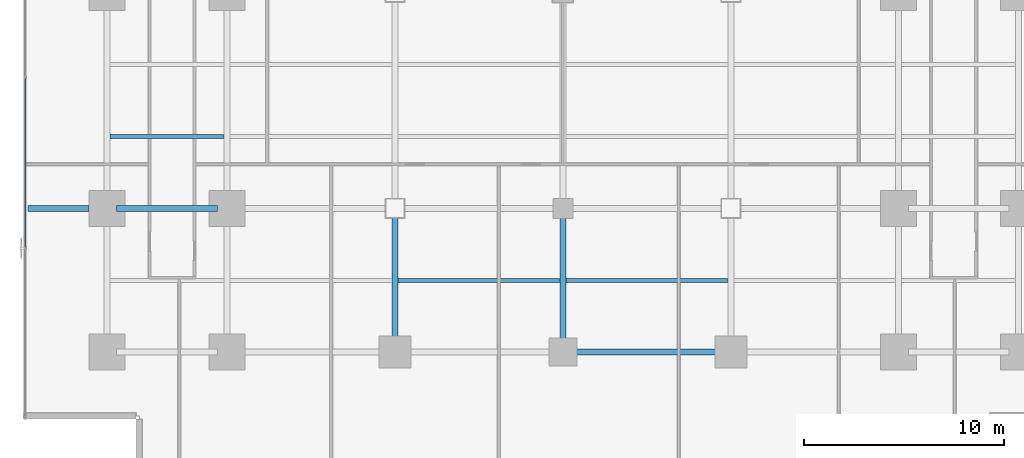
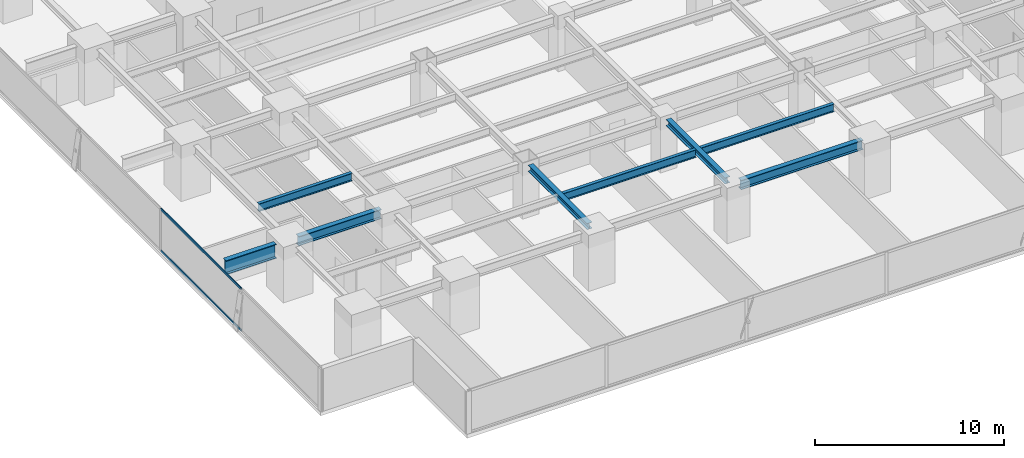
# One storey, part 6 of 34: 8 beams, 2 members, 1 element without a shape of its own.
"""IFC4 building model written with IfcOpenShell, lengths in metres."""

from ifc_helpers import new_model, si_unit, direction, frame, origin, origin_2d, place, context, subcontext, project, spatial, hollow_rectangle, i_section, extrude, source, transform, mapped, material, layer, layer_set, material_profile, profile_set, type_object, element, aggregate, save


model = new_model("IFC4")

# Units and contexts
model_context = context("Model", 3, precision=1e-05, world=origin(), true_north=direction((0.0, 1.0)))
body_context = subcontext(model_context, "Body", "Model", "MODEL_VIEW")
ifc_project = project(units=[si_unit("LENGTHUNIT", "METRE"), si_unit("AREAUNIT", "SQUARE_METRE"), si_unit("VOLUMEUNIT", "CUBIC_METRE"), si_unit("PLANEANGLEUNIT", "RADIAN"), si_unit("MASSUNIT", "GRAM", prefix="KILO")], contexts=[model_context])

# Site, building, storey
site_placement = place(None, origin())
site = spatial("IfcSite", under=ifc_project, at=site_placement, CompositionType="ELEMENT")
building_placement = place(site_placement, origin())
building = spatial("IfcBuilding", under=site, at=building_placement, Name="Sumidabori Civic Tower", CompositionType="ELEMENT")
storey_placement = place(building_placement, frame((0.0, 0.0, 41.60009765625)))
storey = spatial("IfcBuildingStorey", under=building, at=storey_placement, Name="L10", CompositionType="ELEMENT", Elevation=41.60009765625)

# Beams
ifc_material_1 = material(Name="Steel SN490", Category="steel")
ifc_material_profile_1 = material_profile(ifc_material_1, i_section(OverallWidth=0.300048828125, OverallDepth=0.60009765625, WebThickness=0.015380859375, FlangeThickness=0.030029296875, at=origin_2d()), Name="HE 600 B")
ifc_profile_set_1 = profile_set([ifc_material_profile_1], Name="Steel SN490")
beam_type_1 = type_object("IfcBeamType", Name="BM-GIRD-600", PredefinedType="BEAM", material=ifc_profile_set_1)
shared_shape_1 = source(origin(), body_context, "Body", "SweptSolid", [
    extrude(i_section(OverallWidth=0.300048828125, OverallDepth=0.60009765625, WebThickness=0.015380859375, FlangeThickness=0.030029296875, at=origin_2d()), origin(), (0.0, 0.0, 1.0), 5.0400390625),
])
beam_1_placement = place(storey_placement, frame((-22.320068359375, -10.800048828125, 3.059814453125), z_axis=(1.0, 0.0, 0.0), x_axis=(0.0, 1.0, 0.0)))
element("IfcBeam", 1, at=beam_1_placement, inside=storey, type_object=beam_type_1, Name="Primary Girder L10 GX-07", PredefinedType="BEAM", context=body_context, shape_type="MappedRepresentation", body=[
    mapped(shared_shape_1, transform((0.0, 0.0, 0.0), x_axis=(1.0, 0.0, 0.0), y_axis=(0.0, 1.0, 0.0), z_axis=(0.0, 0.0, 1.0), scale=1.0)),
])
shared_shape_2 = source(origin(), body_context, "Body", "SweptSolid", [
    extrude(i_section(OverallWidth=0.300048828125, OverallDepth=0.60009765625, WebThickness=0.015380859375, FlangeThickness=0.030029296875, at=origin_2d()), origin(), (0.0, 0.0, 1.0), 7.43994140625),
])
beam_2_placement = place(storey_placement, frame((0.47998046875, -18.0, 3.059814453125), z_axis=(1.0, 0.0, 0.0), x_axis=(0.0, 1.0, 0.0)))
element("IfcBeam", 2, at=beam_2_placement, inside=storey, type_object=beam_type_1, Name="Primary Girder L10 GX-04", PredefinedType="BEAM", context=body_context, shape_type="MappedRepresentation", body=[
    mapped(shared_shape_2, transform((0.0, 0.0, 0.0), x_axis=(1.0, 0.0, 0.0), y_axis=(0.0, 1.0, 0.0), z_axis=(0.0, 0.0, 1.0), scale=1.0)),
])
ifc_material_profile_2 = material_profile(ifc_material_1, i_section(OverallWidth=0.300048828125, OverallDepth=0.39990234375, WebThickness=0.013427734375, FlangeThickness=0.02392578125, at=origin_2d()), Name="HE 400 B")
ifc_profile_set_2 = profile_set([ifc_material_profile_2], Name="Steel SN490")
beam_type_2 = type_object("IfcBeamType", Name="BM-GIRD-400", PredefinedType="BEAM", material=ifc_profile_set_2)
shared_shape_3 = source(origin(), body_context, "Body", "SweptSolid", [
    extrude(i_section(OverallWidth=0.300048828125, OverallDepth=0.39990234375, WebThickness=0.013427734375, FlangeThickness=0.02392578125, at=origin_2d()), origin(), (0.0, 0.0, 1.0), 6.239990234375),
])
for number, where, z_axis, x_axis, name in (
    (3, (-8.39990234375, -17.52001953125, 3.159912109375), (0.0, 1.0, 0.0), (-1.0, 0.0, 0.0), "Primary Girder L10 GY-29"),
    (4, (0.0, -17.52001953125, 3.159912109375), (0.0, 1.0, 0.0), (-1.0, 0.0, 0.0), "Primary Girder L10 GY-31"),
):
    element("IfcBeam", number, at=place(storey_placement, frame(where, z_axis=z_axis, x_axis=x_axis)), inside=storey, type_object=beam_type_2, Name=name, PredefinedType="BEAM", context=body_context, shape_type="MappedRepresentation", body=[
        mapped(shared_shape_3, transform((0.0, 0.0, 0.0), x_axis=(1.0, 0.0, 0.0), y_axis=(0.0, 1.0, 0.0), z_axis=(0.0, 0.0, 1.0), scale=1.0)),
    ])
ifc_material_profile_3 = material_profile(ifc_material_1, i_section(OverallWidth=0.302001953125, OverallDepth=0.909912109375, WebThickness=0.02099609375, FlangeThickness=0.0400390625, at=origin_2d()), Name="HE 900 M")
ifc_profile_set_3 = profile_set([ifc_material_profile_3], Name="Steel SN490")
beam_type_3 = type_object("IfcBeamType", Name="BM-Z1-EDGE", PredefinedType="SPANDREL", material=ifc_profile_set_3)
shared_shape_4 = source(origin(), body_context, "Body", "SweptSolid", [
    extrude(i_section(OverallWidth=0.302001953125, OverallDepth=0.909912109375, WebThickness=0.02099609375, FlangeThickness=0.0400390625, at=origin_2d()), origin(), (0.0, 0.0, 1.0), 3.050048828125),
])
beam_3_placement = place(storey_placement, frame((-26.75, -10.800048828125, 2.90478515625), z_axis=(1.0, 0.0, 0.0), x_axis=(0.0, 1.0, 0.0)))
element("IfcBeam", 5, at=beam_3_placement, inside=storey, type_object=beam_type_3, Name="Perimeter Overhang Beam L10 W-44", PredefinedType="SPANDREL", context=body_context, shape_type="MappedRepresentation", body=[
    mapped(shared_shape_4, transform((0.0, 0.0, 0.0), x_axis=(1.0, 0.0, 0.0), y_axis=(0.0, 1.0, 0.0), z_axis=(0.0, 0.0, 1.0), scale=1.0)),
])
ifc_material_profile_4 = material_profile(ifc_material_1, i_section(OverallWidth=0.199951171875, OverallDepth=0.5, WebThickness=0.01025390625, FlangeThickness=0.01611328125, at=origin_2d()), Name="IPE 500")
ifc_profile_set_4 = profile_set([ifc_material_profile_4], Name="Steel SN490")
beam_type_4 = type_object("IfcBeamType", Name="BM-JST-500", PredefinedType="JOIST", material=ifc_profile_set_4)
shared_shape_5 = source(origin(), body_context, "Body", "SweptSolid", [
    extrude(i_section(OverallWidth=0.199951171875, OverallDepth=0.5, WebThickness=0.01025390625, FlangeThickness=0.01611328125, at=origin_2d()), origin(), (0.0, 0.0, 1.0), 5.699951171875),
])
beam_4_placement = place(storey_placement, frame((-22.64990234375, -7.199951171875, 3.10986328125), z_axis=(1.0, 0.0, 0.0), x_axis=(0.0, 1.0, 0.0)))
element("IfcBeam", 6, at=beam_4_placement, inside=storey, type_object=beam_type_4, Name="Outer Bay Floor Joist L10 JSTO-49", PredefinedType="JOIST", context=body_context, shape_type="MappedRepresentation", body=[
    mapped(shared_shape_5, transform((0.0, 0.0, 0.0), x_axis=(1.0, 0.0, 0.0), y_axis=(0.0, 1.0, 0.0), z_axis=(0.0, 0.0, 1.0), scale=1.0)),
])
shared_shape_6 = source(origin(), body_context, "Body", "SweptSolid", [
    extrude(i_section(OverallWidth=0.199951171875, OverallDepth=0.5, WebThickness=0.01025390625, FlangeThickness=0.01611328125, at=origin_2d()), origin(), (0.0, 0.0, 1.0), 8.10009765625),
])
for number, where, z_axis, x_axis, name in (
    (7, (-8.25, -14.39990234375, 3.10986328125), (1.0, 0.0, 0.0), (0.0, 1.0, 0.0), "South Bay Floor Joist L10 JSTS-62"),
    (8, (0.14990234375, -14.39990234375, 3.10986328125), (1.0, 0.0, 0.0), (0.0, 1.0, 0.0), "South Bay Floor Joist L10 JSTS-63"),
):
    element("IfcBeam", number, at=place(storey_placement, frame(where, z_axis=z_axis, x_axis=x_axis)), inside=storey, type_object=beam_type_4, Name=name, PredefinedType="JOIST", context=body_context, shape_type="MappedRepresentation", body=[
        mapped(shared_shape_6, transform((0.0, 0.0, 0.0), x_axis=(1.0, 0.0, 0.0), y_axis=(0.0, 1.0, 0.0), z_axis=(0.0, 0.0, 1.0), scale=1.0)),
    ])

# Curtain wall, members
ifc_material_2 = material(Name="Anodised Bronze Aluminium AW-6063-T6", Category="aluminium")
ifc_layer = layer(ifc_material_2, 0.179931640625, Name="Anodised Bronze Aluminium AW-6063-T6")
ifc_layer_set = layer_set([ifc_layer], Name="Anodised Bronze Aluminium AW-6063-T6")
curtain_wall_type = type_object("IfcCurtainWallType", Name="CW-SYS-2", PredefinedType="NOTDEFINED", material=ifc_layer_set)
curtain_wall_placement = place(storey_placement, origin())
curtain_wall = element("IfcCurtainWall", 9, at=curtain_wall_placement, inside=storey, type_object=curtain_wall_type, Name="Curtain Wall CW:L10:R10", PredefinedType="NOTDEFINED")
ifc_material_profile_5 = material_profile(ifc_material_2, hollow_rectangle(XDim=0.06494140625, YDim=0.14990234375, WallThickness=0.0048828125, at=origin_2d()), Name="ALU TRANSOM 150x65")
ifc_profile_set_5 = profile_set([ifc_material_profile_5], Name="Anodised Bronze Aluminium AW-6063-T6")
member_type = type_object("IfcMemberType", Name="CW-TRN-150", PredefinedType="USERDEFINED", material=ifc_profile_set_5)
shared_shape_7 = source(origin(), body_context, "Body", "SweptSolid", [
    extrude(hollow_rectangle(XDim=0.06494140625, YDim=0.14990234375, WallThickness=0.0048828125, at=origin_2d()), origin(), (0.0, 0.0, 1.0), 8.4580078125),
])
member_1_placement = place(storey_placement, frame((-26.8798828125, -4.299072265625, 0.032470703125), z_axis=(0.0, -1.0, 0.0), x_axis=(1.0, 0.0, 0.0)))
member_1 = element("IfcMember", 10, at=member_1_placement, type_object=member_type, Name="CW-2 transom 4.1", ObjectType="TRANSOM", PredefinedType="USERDEFINED", context=body_context, shape_type="MappedRepresentation", body=[
    mapped(shared_shape_7, transform((0.0, 0.0, 0.0), x_axis=(1.0, 0.0, 0.0), y_axis=(0.0, 1.0, 0.0), z_axis=(0.0, 0.0, 1.0), scale=1.0)),
])
member_2_placement = place(storey_placement, frame((-26.8798828125, -4.299072265625, 2.70751953125), z_axis=(0.0, -1.0, 0.0), x_axis=(1.0, 0.0, 0.0)))
member_2 = element("IfcMember", 11, at=member_2_placement, type_object=member_type, Name="CW-2 transom 4.2", ObjectType="TRANSOM", PredefinedType="USERDEFINED", context=body_context, shape_type="MappedRepresentation", body=[
    mapped(shared_shape_7, transform((0.0, 0.0, 0.0), x_axis=(1.0, 0.0, 0.0), y_axis=(0.0, 1.0, 0.0), z_axis=(0.0, 0.0, 1.0), scale=1.0)),
])
aggregate(curtain_wall, [member_1, member_2])

save(model, "model.ifc")
